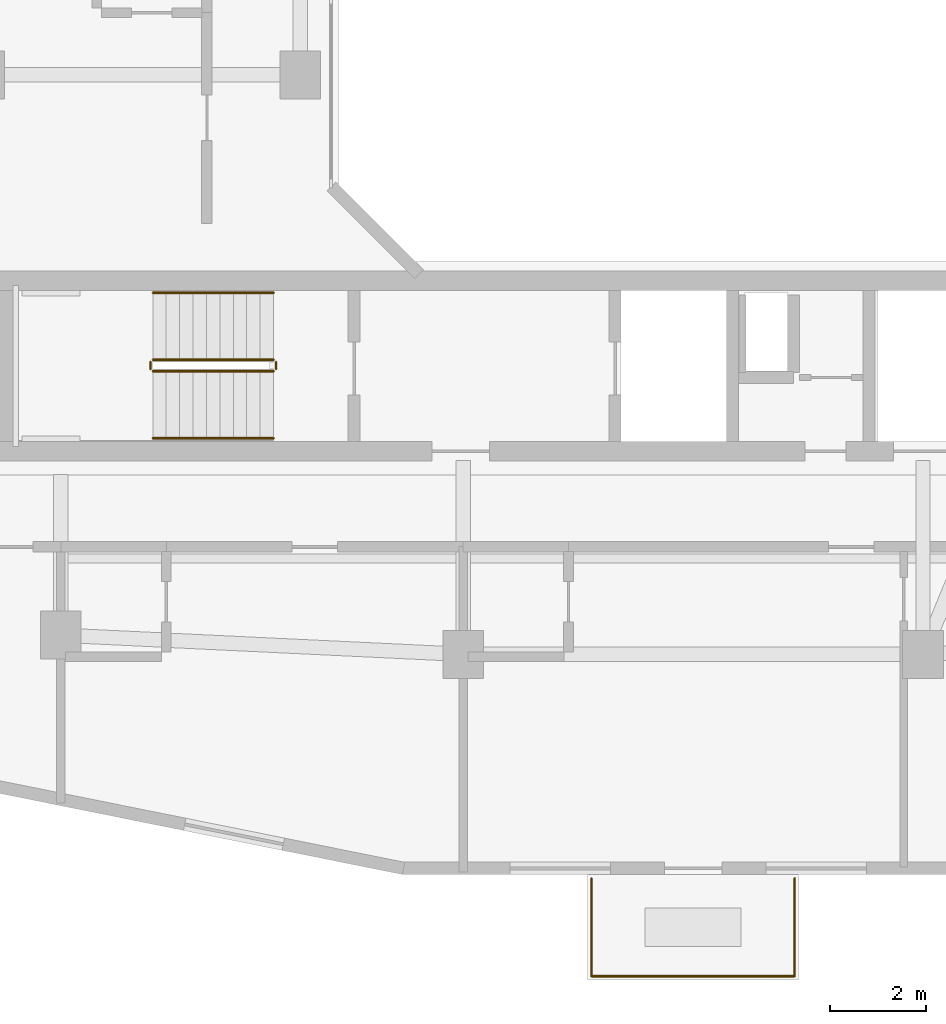
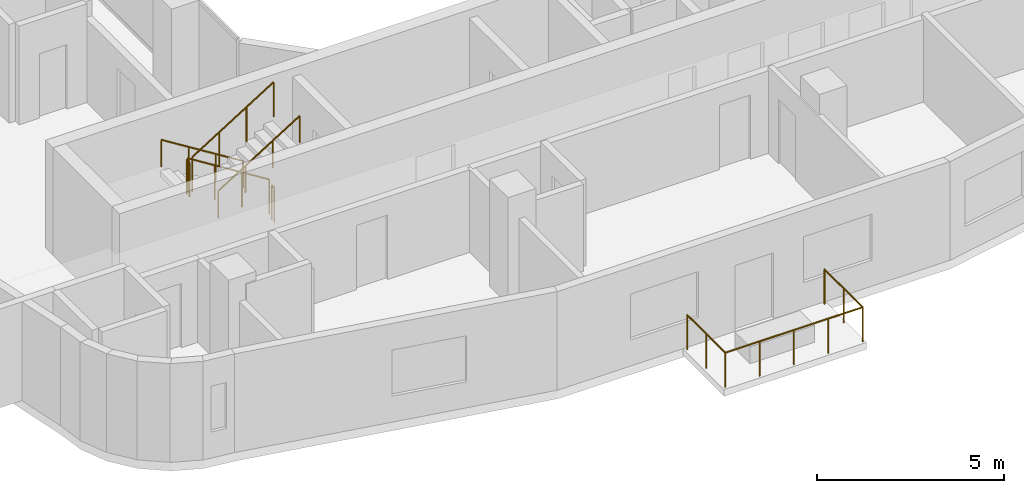
# One storey, part 10 of 13: 9 railings.
"""IFC4 building model written with IfcOpenShell, lengths in metres."""

from ifc_helpers import new_model, si_unit, derived_unit, direction, frame, origin, origin_2d, place, context, subcontext, project, spatial, circle, extrude, material, type_object, element, save


model = new_model("IFC4")

# Units and contexts
model_context = context("Model", 3, precision=1e-05, world=origin(), true_north=direction((0.0, 1.0)))
body_context = subcontext(model_context, "Body", "Model", "MODEL_VIEW")
ifc_project = project(units=[si_unit("LENGTHUNIT", "METRE"), si_unit("AREAUNIT", "SQUARE_METRE"), si_unit("VOLUMEUNIT", "CUBIC_METRE"), si_unit("PLANEANGLEUNIT", "RADIAN"), si_unit("MASSUNIT", "GRAM", prefix="KILO"), derived_unit("THERMALTRANSMITTANCEUNIT", [(si_unit("POWERUNIT", "WATT"), 1), (si_unit("LENGTHUNIT", "METRE"), -2), (si_unit("THERMODYNAMICTEMPERATUREUNIT", "KELVIN"), -1)])], contexts=[model_context])

# Site, building, storey
site_placement = place(None, origin())
site = spatial("IfcSite", under=ifc_project, at=site_placement, CompositionType="ELEMENT")
building_placement = place(site_placement, origin())
building = spatial("IfcBuilding", under=site, at=building_placement, Name="Kivonza Crest Hotel", CompositionType="ELEMENT")
storey_placement = place(building_placement, frame((0.0, 0.0, 134.5)))
storey = spatial("IfcBuildingStorey", under=building, at=storey_placement, Name="L36", CompositionType="ELEMENT", Elevation=134.5)

# Railings
ifc_material_1 = material(Name="Brushed stainless steel handrail", Category="steel")
railing_type_1 = type_object("IfcRailingType", Name="RL-HAND-900", PredefinedType="HANDRAIL", material=ifc_material_1)
railing_1_placement = place(storey_placement, frame((12.239990234375, 16.949951171875, 0.175048828125)))
element("IfcRailing", 1, at=railing_1_placement, inside=storey, type_object=railing_type_1, Name="L36 ST-T1-S stair handrail 1", PredefinedType="HANDRAIL", context=body_context, shape_type="SweptSolid", body=[
    extrude(circle(Radius=0.02392578125, at=origin_2d()), frame((0.0, 0.0, 0.8759765625), z_axis=(-0.848007534815, 0.0, 0.529984170421), x_axis=(0.0, -1.0, 0.0)), (0.0, 0.0, 1.0), 2.9716796875),
    extrude(circle(Radius=0.02099609375, at=origin_2d()), origin(), (0.0, 0.0, 1.0), 0.851806640625),
    extrude(circle(Radius=0.02099609375, at=origin_2d()), frame((-0.840087890625, 0.0, 0.52490234375)), (0.0, 0.0, 1.0), 0.851806640625),
    extrude(circle(Radius=0.02099609375, at=origin_2d()), frame((-1.679931640625, 0.0, 1.050048828125)), (0.0, 0.0, 1.0), 0.851806640625),
    extrude(circle(Radius=0.02099609375, at=origin_2d()), frame((-2.52001953125, 0.0, 1.574951171875)), (0.0, 0.0, 1.0), 0.851806640625),
])
railing_2_placement = place(storey_placement, frame((9.719970703125, 13.909912109375, 1.925048828125)))
element("IfcRailing", 2, at=railing_2_placement, inside=storey, type_object=railing_type_1, Name="L36 ST-T1-S stair handrail 2", PredefinedType="HANDRAIL", context=body_context, shape_type="SweptSolid", body=[
    extrude(circle(Radius=0.02392578125, at=origin_2d()), frame((0.0, 0.0, 0.8759765625), z_axis=(0.848007534815, 0.0, 0.529984170421), x_axis=(0.0, 1.0, 0.0)), (0.0, 0.0, 1.0), 2.9716796875),
    extrude(circle(Radius=0.02099609375, at=origin_2d()), origin(), (0.0, 0.0, 1.0), 0.851806640625),
    extrude(circle(Radius=0.02099609375, at=origin_2d()), frame((0.840087890625, 0.0, 0.52490234375)), (0.0, 0.0, 1.0), 0.851806640625),
    extrude(circle(Radius=0.02099609375, at=origin_2d()), frame((1.679931640625, 0.0, 1.050048828125)), (0.0, 0.0, 1.0), 0.851806640625),
    extrude(circle(Radius=0.02099609375, at=origin_2d()), frame((2.52001953125, 0.0, 1.574951171875)), (0.0, 0.0, 1.0), 0.851806640625),
])
ifc_material_2 = material(Name="Painted steel balustrade", Category="steel")
railing_type_2 = type_object("IfcRailingType", Name="RL-STAIR-1150", PredefinedType="BALUSTRADE", material=ifc_material_2)
railing_3_placement = place(storey_placement, frame((12.239990234375, 15.550048828125, 0.175048828125)))
element("IfcRailing", 3, at=railing_3_placement, inside=storey, type_object=railing_type_2, Name="L36 ST-T1-S stair guard 1", PredefinedType="BALUSTRADE", context=body_context, shape_type="SweptSolid", body=[
    extrude(circle(Radius=0.02392578125, at=origin_2d()), frame((0.0, 0.0, 1.1259765625), z_axis=(-0.848007534815, 0.0, 0.529984170421), x_axis=(0.0, -1.0, 0.0)), (0.0, 0.0, 1.0), 2.9716796875),
    extrude(circle(Radius=0.02099609375, at=origin_2d()), origin(), (0.0, 0.0, 1.0), 1.101806640625),
    extrude(circle(Radius=0.02099609375, at=origin_2d()), frame((-0.840087890625, 0.0, 0.52490234375)), (0.0, 0.0, 1.0), 1.101806640625),
    extrude(circle(Radius=0.02099609375, at=origin_2d()), frame((-1.679931640625, 0.0, 1.050048828125)), (0.0, 0.0, 1.0), 1.101806640625),
    extrude(circle(Radius=0.02099609375, at=origin_2d()), frame((-2.52001953125, 0.0, 1.574951171875)), (0.0, 0.0, 1.0), 1.101806640625),
])
railing_4_placement = place(storey_placement, frame((9.669921875, 15.5, 1.75)))
element("IfcRailing", 4, at=railing_4_placement, inside=storey, type_object=railing_type_2, Name="L36 ST-T1-S stair guard 2", PredefinedType="BALUSTRADE", context=body_context, shape_type="SweptSolid", body=[
    extrude(circle(Radius=0.02392578125, at=origin_2d()), frame((0.0, 0.0, 1.1259765625), z_axis=(0.0, -1.0, 0.0), x_axis=(1.0, 0.0, 0.0)), (0.0, 0.0, 1.0), 0.139892578125),
    extrude(circle(Radius=0.02099609375, at=origin_2d()), origin(), (0.0, 0.0, 1.0), 1.101806640625),
    extrude(circle(Radius=0.02099609375, at=origin_2d()), frame((0.0, -0.139892578125, 0.0)), (0.0, 0.0, 1.0), 1.101806640625),
])
railing_5_placement = place(storey_placement, frame((9.719970703125, 15.31005859375, 1.925048828125)))
element("IfcRailing", 5, at=railing_5_placement, inside=storey, type_object=railing_type_2, Name="L36 ST-T1-S stair guard 3", PredefinedType="BALUSTRADE", context=body_context, shape_type="SweptSolid", body=[
    extrude(circle(Radius=0.02392578125, at=origin_2d()), frame((0.0, 0.0, 1.1259765625), z_axis=(0.848007534815, 0.0, 0.529984170421), x_axis=(0.0, 1.0, 0.0)), (0.0, 0.0, 1.0), 2.9716796875),
    extrude(circle(Radius=0.02099609375, at=origin_2d()), origin(), (0.0, 0.0, 1.0), 1.101806640625),
    extrude(circle(Radius=0.02099609375, at=origin_2d()), frame((0.840087890625, 0.0, 0.52490234375)), (0.0, 0.0, 1.0), 1.101806640625),
    extrude(circle(Radius=0.02099609375, at=origin_2d()), frame((1.679931640625, 0.0, 1.050048828125)), (0.0, 0.0, 1.0), 1.101806640625),
    extrude(circle(Radius=0.02099609375, at=origin_2d()), frame((2.52001953125, 0.0, 1.574951171875)), (0.0, 0.0, 1.0), 1.101806640625),
])
railing_6_placement = place(storey_placement, frame((12.2900390625, 15.5, 0.0)))
element("IfcRailing", 6, at=railing_6_placement, inside=storey, type_object=railing_type_2, Name="L36 ST-T1-S stair guard 4", PredefinedType="BALUSTRADE", context=body_context, shape_type="SweptSolid", body=[
    extrude(circle(Radius=0.02392578125, at=origin_2d()), frame((0.0, 0.0, 1.1259765625), z_axis=(0.0, -1.0, 0.0), x_axis=(1.0, 0.0, 0.0)), (0.0, 0.0, 1.0), 0.139892578125),
    extrude(circle(Radius=0.02099609375, at=origin_2d()), origin(), (0.0, 0.0, 1.0), 1.101806640625),
    extrude(circle(Radius=0.02099609375, at=origin_2d()), frame((0.0, -0.139892578125, 0.0)), (0.0, 0.0, 1.0), 1.101806640625),
])
ifc_material_3 = material(Name="Laminated glass and stainless steel balustrade", Category="steel")
railing_type_3 = type_object("IfcRailingType", Name="RL-TERR-1150", PredefinedType="BALUSTRADE", material=ifc_material_3)
railing_7_placement = place(storey_placement, frame((18.8798828125, 2.679931640625, 0.0)))
element("IfcRailing", 7, at=railing_7_placement, inside=storey, type_object=railing_type_3, Name="L36 T1-L36-SG-SW perimeter safety balustrade 1", PredefinedType="BALUSTRADE", context=body_context, shape_type="SweptSolid", body=[
    extrude(circle(Radius=0.02392578125, at=origin_2d()), frame((0.0, 0.0, 1.1259765625), z_axis=(0.0, 1.0, 0.0), x_axis=(-1.0, 0.0, 0.0)), (0.0, 0.0, 1.0), 2.0400390625),
    extrude(circle(Radius=0.02099609375, at=origin_2d()), origin(), (0.0, 0.0, 1.0), 1.101806640625),
    extrude(circle(Radius=0.02099609375, at=origin_2d()), frame((0.0, 1.02001953125, 0.0)), (0.0, 0.0, 1.0), 1.101806640625),
    extrude(circle(Radius=0.02099609375, at=origin_2d()), frame((0.0, 2.0400390625, 0.0)), (0.0, 0.0, 1.0), 1.101806640625),
])
railing_8_placement = place(storey_placement, frame((23.1201171875, 4.719970703125, 0.0)))
element("IfcRailing", 8, at=railing_8_placement, inside=storey, type_object=railing_type_3, Name="L36 T1-L36-SG-SW perimeter safety balustrade 2", PredefinedType="BALUSTRADE", context=body_context, shape_type="SweptSolid", body=[
    extrude(circle(Radius=0.02392578125, at=origin_2d()), frame((0.0, 0.0, 1.1259765625), z_axis=(0.0, -1.0, 0.0), x_axis=(1.0, 0.0, 0.0)), (0.0, 0.0, 1.0), 2.0400390625),
    extrude(circle(Radius=0.02099609375, at=origin_2d()), origin(), (0.0, 0.0, 1.0), 1.101806640625),
    extrude(circle(Radius=0.02099609375, at=origin_2d()), frame((0.0, -1.02001953125, 0.0)), (0.0, 0.0, 1.0), 1.101806640625),
    extrude(circle(Radius=0.02099609375, at=origin_2d()), frame((0.0, -2.0400390625, 0.0)), (0.0, 0.0, 1.0), 1.101806640625),
])
railing_9_placement = place(storey_placement, frame((23.1201171875, 2.679931640625, 0.0)))
element("IfcRailing", 9, at=railing_9_placement, inside=storey, type_object=railing_type_3, Name="L36 T1-L36-SG-SW perimeter safety balustrade 3", PredefinedType="BALUSTRADE", context=body_context, shape_type="SweptSolid", body=[
    extrude(circle(Radius=0.02392578125, at=origin_2d()), frame((0.0, 0.0, 1.1259765625), z_axis=(-1.0, 0.0, 0.0), x_axis=(0.0, -1.0, 0.0)), (0.0, 0.0, 1.0), 4.240234375),
    extrude(circle(Radius=0.02099609375, at=origin_2d()), origin(), (0.0, 0.0, 1.0), 1.101806640625),
    extrude(circle(Radius=0.02099609375, at=origin_2d()), frame((-1.06005859375, 0.0, 0.0)), (0.0, 0.0, 1.0), 1.101806640625),
    extrude(circle(Radius=0.02099609375, at=origin_2d()), frame((-2.1201171875, 0.0, 0.0)), (0.0, 0.0, 1.0), 1.101806640625),
    extrude(circle(Radius=0.02099609375, at=origin_2d()), frame((-3.18017578125, 0.0, 0.0)), (0.0, 0.0, 1.0), 1.101806640625),
    extrude(circle(Radius=0.02099609375, at=origin_2d()), frame((-4.240234375, 0.0, 0.0)), (0.0, 0.0, 1.0), 1.101806640625),
])

save(model, "model.ifc")
